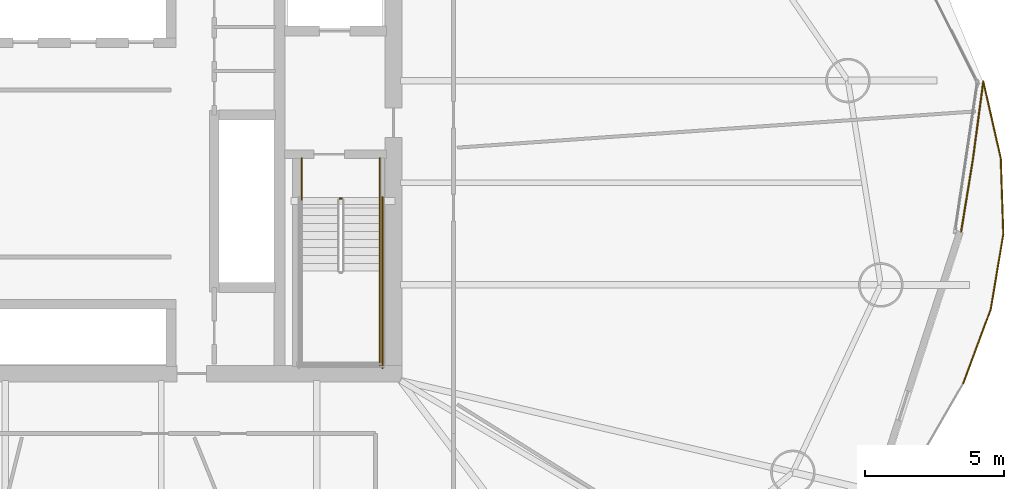
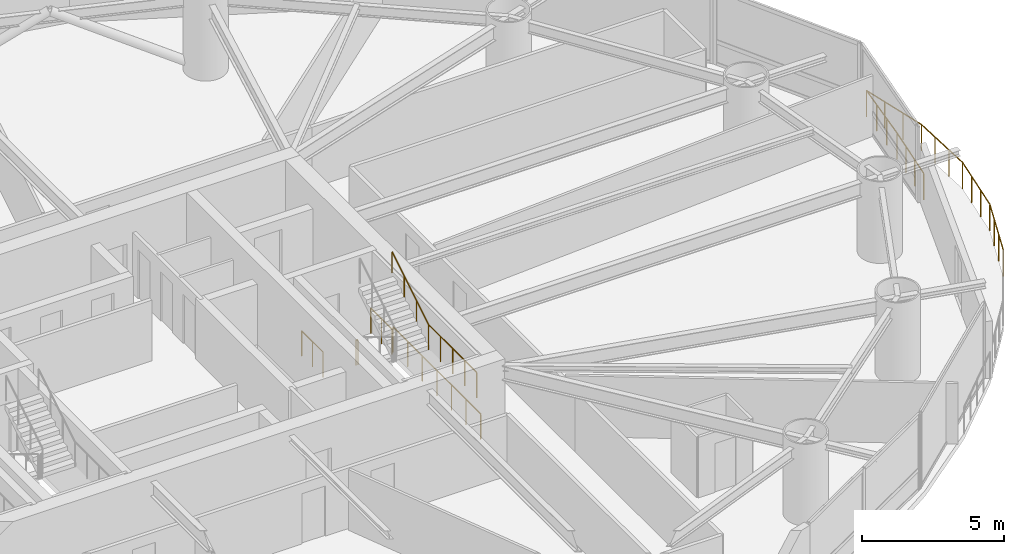
# One storey, part 25 of 26: 12 railings.
"""IFC4 building model written with IfcOpenShell, lengths in metres."""

from ifc_helpers import new_model, si_unit, direction, frame, origin, origin_2d, place, context, subcontext, project, spatial, circle, extrude, material, type_object, element, save


model = new_model("IFC4")

# Units and contexts
model_context = context("Model", 3, precision=1e-05, world=origin(), true_north=direction((0.0, 1.0)))
body_context = subcontext(model_context, "Body", "Model", "MODEL_VIEW")
ifc_project = project(units=[si_unit("LENGTHUNIT", "METRE"), si_unit("AREAUNIT", "SQUARE_METRE"), si_unit("VOLUMEUNIT", "CUBIC_METRE"), si_unit("PLANEANGLEUNIT", "RADIAN"), si_unit("MASSUNIT", "GRAM", prefix="KILO")], contexts=[model_context])

# Site, building, storey
site_placement = place(None, origin())
site = spatial("IfcSite", under=ifc_project, at=site_placement, CompositionType="ELEMENT")
building_placement = place(site_placement, origin())
building = spatial("IfcBuilding", under=site, at=building_placement, Name="Bramvorn Convention Spire", CompositionType="ELEMENT")
storey_placement = place(building_placement, frame((0.0, 0.0, 51.89990234375)))
storey = spatial("IfcBuildingStorey", under=building, at=storey_placement, Name="L10", CompositionType="ELEMENT", Elevation=51.89990234375)

# Railings
ifc_material_1 = material(Name="Painted Steel Balustrade & Guardrail", Category="steel")
railing_type_1 = type_object("IfcRailingType", Name="RL-STAIR-GUARD-1100", PredefinedType="GUARDRAIL", material=ifc_material_1)
railing_1_placement = place(storey_placement, frame((48.5, 22.485107421875, 1.75)))
element("IfcRailing", 1, at=railing_1_placement, inside=storey, type_object=railing_type_1, Name="L10 ST2 stair guard 4", PredefinedType="GUARDRAIL", context=body_context, shape_type="SweptSolid", body=[
    extrude(circle(Radius=0.02392578125, at=origin_2d()), frame((0.0, 0.0, 1.076171875), z_axis=(0.0, -1.0, 0.0), x_axis=(1.0, 0.0, 0.0)), (0.0, 0.0, 1.0), 3.385009765625),
    extrude(circle(Radius=0.02099609375, at=origin_2d()), origin(), (0.0, 0.0, 1.0), 1.052001953125),
    extrude(circle(Radius=0.02099609375, at=origin_2d()), frame((0.0, -0.84619140625, 0.0)), (0.0, 0.0, 1.0), 1.052001953125),
    extrude(circle(Radius=0.02099609375, at=origin_2d()), frame((0.0, -1.6923828125, 0.0)), (0.0, 0.0, 1.0), 1.052001953125),
    extrude(circle(Radius=0.02099609375, at=origin_2d()), frame((0.0, -2.538818359375, 0.0)), (0.0, 0.0, 1.0), 1.052001953125),
    extrude(circle(Radius=0.02099609375, at=origin_2d()), frame((0.0, -3.385009765625, 0.0)), (0.0, 0.0, 1.0), 1.052001953125),
])
railing_2_placement = place(storey_placement, frame((47.06005859375, 25.10009765625, 0.0)))
element("IfcRailing", 2, at=railing_2_placement, inside=storey, type_object=railing_type_1, Name="L10 ST2 stair guard 7", PredefinedType="GUARDRAIL", context=body_context, shape_type="SweptSolid", body=[
    extrude(circle(Radius=0.02392578125, at=origin_2d()), frame((0.0, 0.0, 1.076171875), z_axis=(1.0, 0.0, 0.0), x_axis=(0.0, 1.0, 0.0)), (0.0, 0.0, 1.0), 0.079833984375),
    extrude(circle(Radius=0.02099609375, at=origin_2d()), origin(), (0.0, 0.0, 1.0), 1.052001953125),
    extrude(circle(Radius=0.02099609375, at=origin_2d()), frame((0.079833984375, 0.0, 0.0)), (0.0, 0.0, 1.0), 1.052001953125),
])
for number, where, name in (
    (3, (45.699951171875, 26.550048828125, 0.0), "L10 ST2 stair guard 8"),
    (4, (48.5, 26.550048828125, 0.0), "L10 ST2 stair guard 9"),
):
    element("IfcRailing", number, at=place(storey_placement, frame(where)), inside=storey, type_object=railing_type_1, Name=name, PredefinedType="GUARDRAIL", context=body_context, shape_type="SweptSolid", body=[
        extrude(circle(Radius=0.02392578125, at=origin_2d()), frame((0.0, 0.0, 1.076171875), z_axis=(0.0, -1.0, 0.0), x_axis=(1.0, 0.0, 0.0)), (0.0, 0.0, 1.0), 1.5),
        extrude(circle(Radius=0.02099609375, at=origin_2d()), origin(), (0.0, 0.0, 1.0), 1.052001953125),
        extrude(circle(Radius=0.02099609375, at=origin_2d()), frame((0.0, -0.75, 0.0)), (0.0, 0.0, 1.0), 1.052001953125),
        extrude(circle(Radius=0.02099609375, at=origin_2d()), frame((0.0, -1.5, 0.0)), (0.0, 0.0, 1.0), 1.052001953125),
    ])
railing_3_placement = place(storey_placement, frame((48.60009765625, 25.14990234375, 0.0)))
element("IfcRailing", 5, at=railing_3_placement, inside=storey, type_object=railing_type_1, Name="L10 ST2 stair guard 11", PredefinedType="GUARDRAIL", context=body_context, shape_type="SweptSolid", body=[
    extrude(circle(Radius=0.02392578125, at=origin_2d()), frame((0.0, 0.0, 1.076171875), z_axis=(0.0, -1.0, 0.0), x_axis=(1.0, 0.0, 0.0)), (0.0, 0.0, 1.0), 6.14990234375),
    extrude(circle(Radius=0.02099609375, at=origin_2d()), origin(), (0.0, 0.0, 1.0), 1.052001953125),
    extrude(circle(Radius=0.02099609375, at=origin_2d()), frame((0.0, -1.02490234375, 0.0)), (0.0, 0.0, 1.0), 1.052001953125),
    extrude(circle(Radius=0.02099609375, at=origin_2d()), frame((0.0, -2.050048828125, 0.0)), (0.0, 0.0, 1.0), 1.052001953125),
    extrude(circle(Radius=0.02099609375, at=origin_2d()), frame((0.0, -3.074951171875, 0.0)), (0.0, 0.0, 1.0), 1.052001953125),
    extrude(circle(Radius=0.02099609375, at=origin_2d()), frame((0.0, -4.099853515625, 0.0)), (0.0, 0.0, 1.0), 1.052001953125),
    extrude(circle(Radius=0.02099609375, at=origin_2d()), frame((0.0, -5.125, 0.0)), (0.0, 0.0, 1.0), 1.052001953125),
    extrude(circle(Radius=0.02099609375, at=origin_2d()), frame((0.0, -6.14990234375, 0.0)), (0.0, 0.0, 1.0), 1.052001953125),
])
ifc_material_2 = material(Name="Brushed Bronze Tubular Handrail", Category="aluminium")
railing_type_2 = type_object("IfcRailingType", Name="RL-STAIR-HR-920", PredefinedType="HANDRAIL", material=ifc_material_2)
railing_4_placement = place(storey_placement, frame((48.5, 22.485107421875, 1.925048828125)))
element("IfcRailing", 6, at=railing_4_placement, inside=storey, type_object=railing_type_2, Name="L10 ST2 stair handrail 2", PredefinedType="HANDRAIL", context=body_context, shape_type="SweptSolid", body=[
    extrude(circle(Radius=0.02392578125, at=origin_2d()), frame((0.0, 0.0, 0.89599609375), z_axis=(0.0, 0.852173129349, 0.523259933127), x_axis=(-1.0, 0.0, 0.0)), (0.0, 0.0, 1.0), 3.009765625),
    extrude(circle(Radius=0.02099609375, at=origin_2d()), origin(), (0.0, 0.0, 1.0), 0.871826171875),
    extrude(circle(Radius=0.02099609375, at=origin_2d()), frame((0.0, 0.85498046875, 0.52490234375)), (0.0, 0.0, 1.0), 0.871826171875),
    extrude(circle(Radius=0.02099609375, at=origin_2d()), frame((0.0, 1.7099609375, 1.050048828125)), (0.0, 0.0, 1.0), 0.871826171875),
    extrude(circle(Radius=0.02099609375, at=origin_2d()), frame((0.0, 2.56494140625, 1.574951171875)), (0.0, 0.0, 1.0), 0.871826171875),
])
ifc_material_3 = material(Name="Bronze Cap-Rail & Laminated Structural Glass Balustrade", Category="glass")
railing_type_3 = type_object("IfcRailingType", Name="RL-TERR-GUARD-1150", PredefinedType="GUARDRAIL", material=ifc_material_3)
railing_5_placement = place(storey_placement, frame((70.20703125, 29.31689453125, 0.0)))
element("IfcRailing", 7, at=railing_5_placement, inside=storey, type_object=railing_type_3, Name="L10 Sky Garden perimeter safety guardrail 1", PredefinedType="GUARDRAIL", context=body_context, shape_type="SweptSolid", body=[
    extrude(circle(Radius=0.02392578125, at=origin_2d()), frame((0.0, 0.0, 1.1259765625), z_axis=(-0.131851001817, -0.991269546249, 0.0), x_axis=(0.991269546249, -0.131851001817, 0.0)), (0.0, 0.0, 1.0), 2.812744140625),
    extrude(circle(Radius=0.02099609375, at=origin_2d()), origin(), (0.0, 0.0, 1.0), 1.101806640625),
    extrude(circle(Radius=0.02099609375, at=origin_2d()), frame((-0.12353515625, -0.929443359375, 0.0)), (0.0, 0.0, 1.0), 1.101806640625),
    extrude(circle(Radius=0.02099609375, at=origin_2d()), frame((-0.247314453125, -1.858642578125, 0.0)), (0.0, 0.0, 1.0), 1.101806640625),
    extrude(circle(Radius=0.02099609375, at=origin_2d()), frame((-0.370849609375, -2.7880859375, 0.0)), (0.0, 0.0, 1.0), 1.101806640625),
])
railing_6_placement = place(storey_placement, frame((69.836181640625, 26.52880859375, 0.0)))
element("IfcRailing", 8, at=railing_6_placement, inside=storey, type_object=railing_type_3, Name="L10 Sky Garden perimeter safety guardrail 2", PredefinedType="GUARDRAIL", context=body_context, shape_type="SweptSolid", body=[
    extrude(circle(Radius=0.02392578125, at=origin_2d()), frame((0.0, 0.0, 1.1259765625), z_axis=(-0.160527371829, -0.987031389011, 0.0), x_axis=(0.987031389011, -0.160527371829, 0.0)), (0.0, 0.0, 1.0), 2.6494140625),
    extrude(circle(Radius=0.02099609375, at=origin_2d()), origin(), (0.0, 0.0, 1.0), 1.101806640625),
    extrude(circle(Radius=0.02099609375, at=origin_2d()), frame((-0.141845703125, -0.87158203125, 0.0)), (0.0, 0.0, 1.0), 1.101806640625),
    extrude(circle(Radius=0.02099609375, at=origin_2d()), frame((-0.283447265625, -1.743408203125, 0.0)), (0.0, 0.0, 1.0), 1.101806640625),
    extrude(circle(Radius=0.02099609375, at=origin_2d()), frame((-0.42529296875, -2.614990234375, 0.0)), (0.0, 0.0, 1.0), 1.101806640625),
])
railing_7_placement = place(storey_placement, frame((69.485595703125, 18.45263671875, 0.0)))
element("IfcRailing", 9, at=railing_7_placement, inside=storey, type_object=railing_type_3, Name="L10 Sky Garden perimeter safety guardrail 5", PredefinedType="GUARDRAIL", context=body_context, shape_type="SweptSolid", body=[
    extrude(circle(Radius=0.02392578125, at=origin_2d()), frame((0.0, 0.0, 1.1259765625), z_axis=(0.348531790253, 0.937296959977, 0.0), x_axis=(-0.937296959977, 0.348531790253, 0.0)), (0.0, 0.0, 1.0), 2.840576171875),
    extrude(circle(Radius=0.02099609375, at=origin_2d()), origin(), (0.0, 0.0, 1.0), 1.101806640625),
    extrude(circle(Radius=0.02099609375, at=origin_2d()), frame((0.330078125, 0.887451171875, 0.0)), (0.0, 0.0, 1.0), 1.101806640625),
    extrude(circle(Radius=0.02099609375, at=origin_2d()), frame((0.659912109375, 1.77490234375, 0.0)), (0.0, 0.0, 1.0), 1.101806640625),
    extrude(circle(Radius=0.02099609375, at=origin_2d()), frame((0.989990234375, 2.662353515625, 0.0)), (0.0, 0.0, 1.0), 1.101806640625),
])
railing_8_placement = place(storey_placement, frame((70.4755859375, 21.114990234375, 0.0)))
element("IfcRailing", 10, at=railing_8_placement, inside=storey, type_object=railing_type_3, Name="L10 Sky Garden perimeter safety guardrail 6", PredefinedType="GUARDRAIL", context=body_context, shape_type="SweptSolid", body=[
    extrude(circle(Radius=0.02392578125, at=origin_2d()), frame((0.0, 0.0, 1.1259765625), z_axis=(0.165194914355, 0.98626093924, 0.0), x_axis=(-0.98626093924, 0.165194914355, 0.0)), (0.0, 0.0, 1.0), 2.735595703125),
    extrude(circle(Radius=0.02099609375, at=origin_2d()), origin(), (0.0, 0.0, 1.0), 1.101806640625),
    extrude(circle(Radius=0.02099609375, at=origin_2d()), frame((0.150634765625, 0.8994140625, 0.0)), (0.0, 0.0, 1.0), 1.101806640625),
    extrude(circle(Radius=0.02099609375, at=origin_2d()), frame((0.30126953125, 1.798583984375, 0.0)), (0.0, 0.0, 1.0), 1.101806640625),
    extrude(circle(Radius=0.02099609375, at=origin_2d()), frame((0.451904296875, 2.697998046875, 0.0)), (0.0, 0.0, 1.0), 1.101806640625),
])
railing_9_placement = place(storey_placement, frame((70.927490234375, 23.81298828125, 0.0)))
element("IfcRailing", 11, at=railing_9_placement, inside=storey, type_object=railing_type_3, Name="L10 Sky Garden perimeter safety guardrail 7", PredefinedType="GUARDRAIL", context=body_context, shape_type="SweptSolid", body=[
    extrude(circle(Radius=0.02392578125, at=origin_2d()), frame((0.0, 0.0, 1.1259765625), z_axis=(-0.033291056063, 0.999445699168, 0.0), x_axis=(-0.999445699168, -0.033291056063, 0.0)), (0.0, 0.0, 1.0), 2.7353515625),
    extrude(circle(Radius=0.02099609375, at=origin_2d()), origin(), (0.0, 0.0, 1.0), 1.101806640625),
    extrude(circle(Radius=0.02099609375, at=origin_2d()), frame((-0.0302734375, 0.911376953125, 0.0)), (0.0, 0.0, 1.0), 1.101806640625),
    extrude(circle(Radius=0.02099609375, at=origin_2d()), frame((-0.060791015625, 1.822509765625, 0.0)), (0.0, 0.0, 1.0), 1.101806640625),
    extrude(circle(Radius=0.02099609375, at=origin_2d()), frame((-0.091064453125, 2.73388671875, 0.0)), (0.0, 0.0, 1.0), 1.101806640625),
])
railing_10_placement = place(storey_placement, frame((70.83642578125, 26.546875, 0.0)))
element("IfcRailing", 12, at=railing_10_placement, inside=storey, type_object=railing_type_3, Name="L10 Sky Garden perimeter safety guardrail 8", PredefinedType="GUARDRAIL", context=body_context, shape_type="SweptSolid", body=[
    extrude(circle(Radius=0.02392578125, at=origin_2d()), frame((0.0, 0.0, 1.1259765625), z_axis=(-0.221569096584, 0.975144674107, 0.0), x_axis=(-0.975144674107, -0.221569096584, 0.0)), (0.0, 0.0, 1.0), 2.840576171875),
    extrude(circle(Radius=0.02099609375, at=origin_2d()), origin(), (0.0, 0.0, 1.0), 1.101806640625),
    extrude(circle(Radius=0.02099609375, at=origin_2d()), frame((-0.209716796875, 0.92333984375, 0.0)), (0.0, 0.0, 1.0), 1.101806640625),
    extrude(circle(Radius=0.02099609375, at=origin_2d()), frame((-0.419677734375, 1.8466796875, 0.0)), (0.0, 0.0, 1.0), 1.101806640625),
    extrude(circle(Radius=0.02099609375, at=origin_2d()), frame((-0.62939453125, 2.77001953125, 0.0)), (0.0, 0.0, 1.0), 1.101806640625),
])

save(model, "model.ifc")
